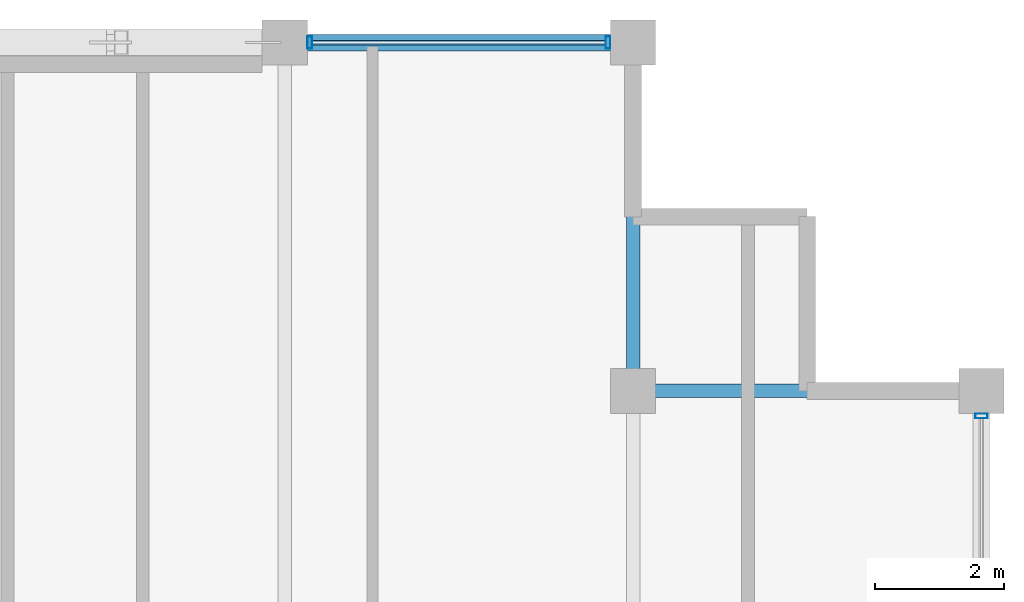
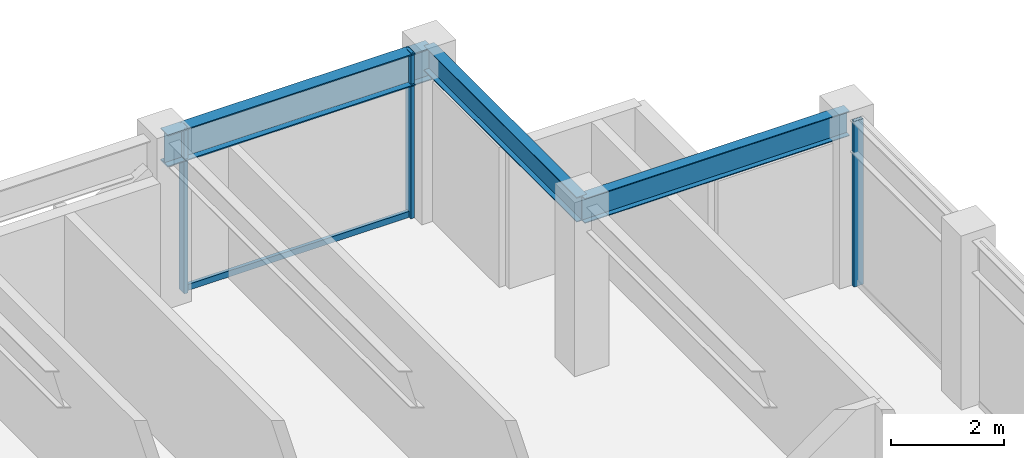
# One storey, part 22 of 30: 4 members, 3 beams, 2 elements without a shape of their own.
"""IFC4 building model written with IfcOpenShell, lengths in metres."""

from ifc_helpers import new_model, si_unit, direction, frame, origin, origin_2d, place, context, subcontext, project, spatial, hollow_rectangle, i_section, extrude, material, layer, layer_set, material_profile, profile_set, type_object, element, aggregate, save


model = new_model("IFC4")

# Units and contexts
model_context = context("Model", 3, precision=1e-05, world=origin(), true_north=direction((0.0, 1.0)))
body_context = subcontext(model_context, "Body", "Model", "MODEL_VIEW")
ifc_project = project(units=[si_unit("LENGTHUNIT", "METRE"), si_unit("AREAUNIT", "SQUARE_METRE"), si_unit("VOLUMEUNIT", "CUBIC_METRE"), si_unit("PLANEANGLEUNIT", "RADIAN"), si_unit("MASSUNIT", "GRAM", prefix="KILO")], contexts=[model_context])

# Site, building, storey
site_placement = place(None, origin())
site = spatial("IfcSite", under=ifc_project, at=site_placement, CompositionType="ELEMENT")
building_placement = place(site_placement, origin())
building = spatial("IfcBuilding", under=site, at=building_placement, Name="Surkhivell Harbour Commons", CompositionType="ELEMENT")
storey_placement = place(building_placement, frame((0.0, 0.0, 296.25)))
storey = spatial("IfcBuildingStorey", under=building, at=storey_placement, Name="L77", CompositionType="ELEMENT", Elevation=296.25)

# Beams
ifc_material_1 = material(Name="Steel S355", Category="steel")
ifc_material_profile_1 = material_profile(ifc_material_1, i_section(OverallWidth=0.2099609375, OverallDepth=0.537109375, WebThickness=0.0107421875, FlangeThickness=0.017333984375, at=origin_2d()), Name="UB533x210x101")
ifc_profile_set_1 = profile_set([ifc_material_profile_1], Name="Steel S355")
beam_type_1 = type_object("IfcBeamType", Name="BM-GRD-533B", PredefinedType="BEAM", material=ifc_profile_set_1)
for number, where, z_axis, x_axis, name in (
    (1, (10.800048828125, 20.5, 3.301513671875), (0.0, 1.0, 0.0), (-1.0, 0.0, 0.0), "L77 Floor Girder (10.8,20.5)"),
    (2, (10.800048828125, 20.5, 3.301513671875), (1.0, 0.0, 0.0), (0.0, 1.0, 0.0), "L77 Floor Girder (10.8,20.5)"),
):
    element("IfcBeam", number, at=place(storey_placement, frame(where, z_axis=z_axis, x_axis=x_axis)), inside=storey, type_object=beam_type_1, Name=name, PredefinedType="BEAM", context=body_context, shape_type="SweptSolid", body=[
        extrude(i_section(OverallWidth=0.2099609375, OverallDepth=0.537109375, WebThickness=0.0107421875, FlangeThickness=0.017333984375, at=origin_2d()), origin(), (0.0, 0.0, 1.0), 5.39990234375),
    ])
ifc_material_profile_2 = material_profile(ifc_material_1, i_section(OverallWidth=0.256103515625, OverallDepth=0.693115234375, WebThickness=0.014404296875, FlangeThickness=0.023681640625, at=origin_2d()), Name="UB686x254x170")
ifc_profile_set_2 = profile_set([ifc_material_profile_2], Name="Steel S355")
beam_type_2 = type_object("IfcBeamType", Name="BM-SPN-686", PredefinedType="SPANDREL", material=ifc_profile_set_2)
beam_placement = place(storey_placement, frame((5.39990234375, 25.89990234375, 3.223388671875), z_axis=(1.0, 0.0, 0.0), x_axis=(0.0, 1.0, 0.0)))
element("IfcBeam", 3, at=beam_placement, inside=storey, type_object=beam_type_2, Name="L77 Tube Spandrel (5.4,25.9)", PredefinedType="SPANDREL", context=body_context, shape_type="SweptSolid", body=[
    extrude(i_section(OverallWidth=0.256103515625, OverallDepth=0.693115234375, WebThickness=0.014404296875, FlangeThickness=0.023681640625, at=origin_2d()), origin(), (0.0, 0.0, 1.0), 5.400146484375),
])

# Curtain wall, member
ifc_material_2 = material(Name="Anodised pale-metal aluminium and insulated glazing", Category="aluminium")
ifc_layer = layer(ifc_material_2, 0.175048828125)
ifc_layer_set = layer_set([ifc_layer], Name="Anodised pale-metal aluminium and insulated glazing")
curtain_wall_type = type_object("IfcCurtainWallType", Name="CW-SYS-Z4", PredefinedType="NOTDEFINED", material=ifc_layer_set)
curtain_wall_1_placement = place(storey_placement, origin())
curtain_wall_1 = element("IfcCurtainWall", 4, at=curtain_wall_1_placement, inside=storey, type_object=curtain_wall_type, Name="L77 Curtain Wall CW-L77-E02", PredefinedType="NOTDEFINED")
ifc_material_3 = material(Name="Anodised pale-metal aluminium alloy 6063-T6", Category="aluminium")
ifc_material_profile_3 = material_profile(ifc_material_3, hollow_rectangle(XDim=0.074951171875, YDim=0.18994140625, WallThickness=0.00390625, at=origin_2d()), Name="ALU-MULL-75x190")
ifc_profile_set_3 = profile_set([ifc_material_profile_3], Name="Anodised pale-metal aluminium alloy 6063-T6")
member_type_1 = type_object("IfcMemberType", Name="CWM-190", PredefinedType="MULLION", material=ifc_profile_set_3)
member_1_placement = place(storey_placement, frame((16.199951171875, 20.110595703125, 0.0), z_axis=(0.0, 0.0, 1.0), x_axis=(0.0, 1.0, 0.0)))
member_1 = element("IfcMember", 5, at=member_1_placement, type_object=member_type_1, Name="CW-Z4 mullion 6", PredefinedType="MULLION", context=body_context, shape_type="SweptSolid", body=[
    extrude(hollow_rectangle(XDim=0.074951171875, YDim=0.18994140625, WallThickness=0.00390625, at=origin_2d()), origin(), (0.0, 0.0, 1.0), 3.570068359375),
])
aggregate(curtain_wall_1, [member_1])

# Curtain wall, members
curtain_wall_2_placement = place(storey_placement, origin())
curtain_wall_2 = element("IfcCurtainWall", 6, at=curtain_wall_2_placement, inside=storey, type_object=curtain_wall_type, Name="L77 Curtain Wall CW-L77-E07S1", PredefinedType="NOTDEFINED")
member_2_placement = place(storey_placement, frame((10.410400390625, 25.89990234375, 0.0), z_axis=(0.0, 0.0, 1.0), x_axis=(-1.0, 0.0, 0.0)))
member_2 = element("IfcMember", 7, at=member_2_placement, type_object=member_type_1, Name="CW-Z4 mullion 1", PredefinedType="MULLION", context=body_context, shape_type="SweptSolid", body=[
    extrude(hollow_rectangle(XDim=0.074951171875, YDim=0.18994140625, WallThickness=0.00390625, at=origin_2d()), origin(), (0.0, 0.0, 1.0), 3.570068359375),
])
member_3_placement = place(storey_placement, frame((5.78955078125, 25.89990234375, 0.0), z_axis=(0.0, 0.0, 1.0), x_axis=(-1.0, 0.0, 0.0)))
member_3 = element("IfcMember", 8, at=member_3_placement, type_object=member_type_1, Name="CW-Z4 mullion 2", PredefinedType="MULLION", context=body_context, shape_type="SweptSolid", body=[
    extrude(hollow_rectangle(XDim=0.074951171875, YDim=0.18994140625, WallThickness=0.00390625, at=origin_2d()), origin(), (0.0, 0.0, 1.0), 3.570068359375),
])
ifc_material_4 = material(Name="Champagne anodised aluminium alloy 6063-T6", Category="aluminium")
ifc_material_profile_4 = material_profile(ifc_material_4, hollow_rectangle(XDim=0.070068359375, YDim=0.1298828125, WallThickness=0.00341796875, at=origin_2d()), Name="ALU-TRAN-70x130")
ifc_profile_set_4 = profile_set([ifc_material_profile_4], Name="Champagne anodised aluminium alloy 6063-T6")
member_type_2 = type_object("IfcMemberType", Name="CWT-130", PredefinedType="USERDEFINED", material=ifc_profile_set_4)
member_4_placement = place(storey_placement, frame((10.373046875, 25.89990234375, 0.06494140625), z_axis=(-1.0, 0.0, 0.0), x_axis=(0.0, -1.0, 0.0)))
member_4 = element("IfcMember", 9, at=member_4_placement, type_object=member_type_2, Name="CW-Z4 transom 1.1", ObjectType="TRANSOM", PredefinedType="USERDEFINED", context=body_context, shape_type="SweptSolid", body=[
    extrude(hollow_rectangle(XDim=0.070068359375, YDim=0.1298828125, WallThickness=0.00341796875, at=origin_2d()), origin(), (0.0, 0.0, 1.0), 4.546142578125),
])
aggregate(curtain_wall_2, [member_2, member_3, member_4])

save(model, "model.ifc")
